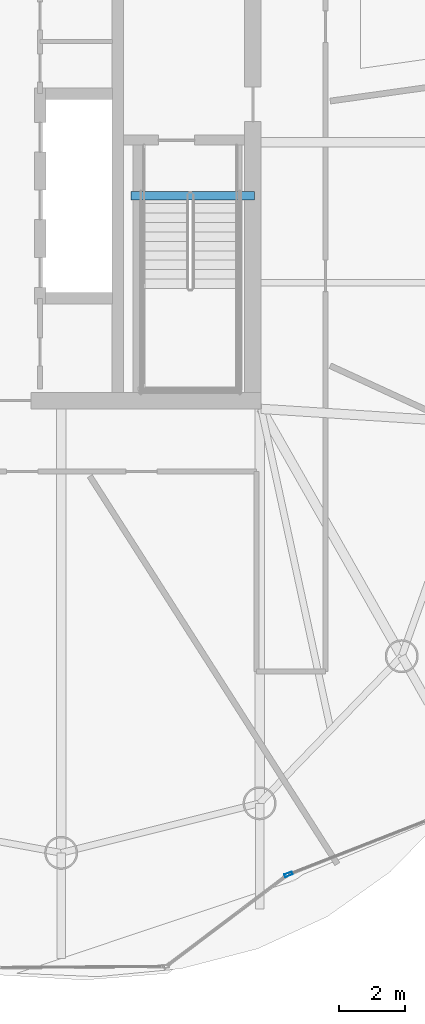
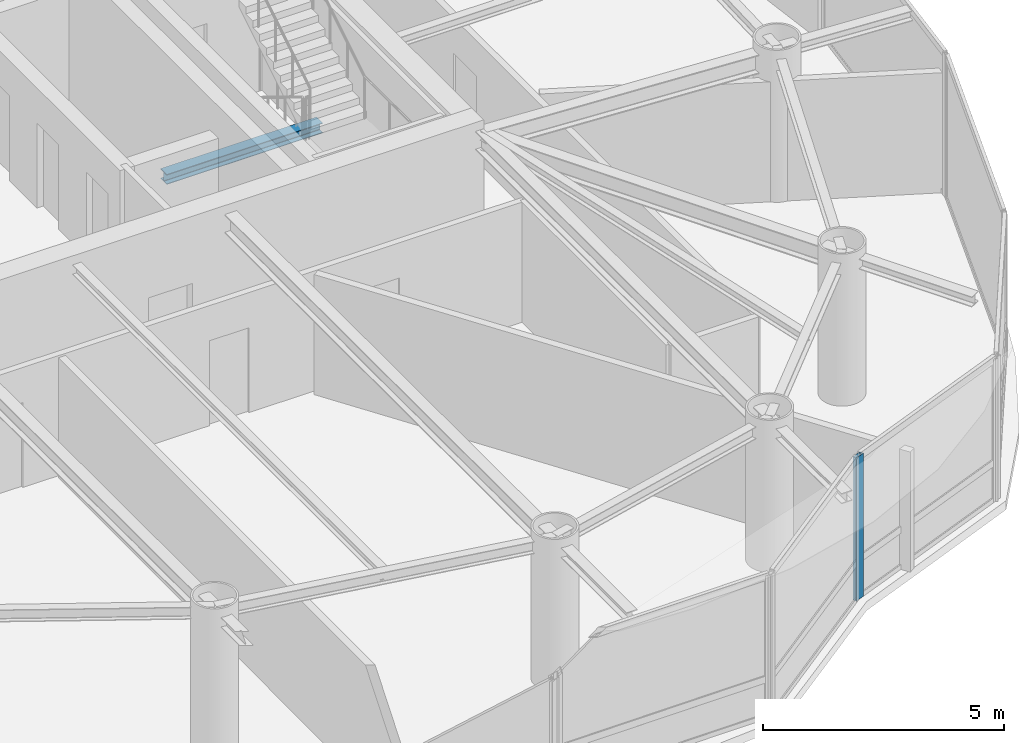
# One storey, part 7 of 20: 1 beam, 1 member, 1 element without a shape of its own.
"""IFC4 building model written with IfcOpenShell, lengths in metres."""

from ifc_helpers import new_model, si_unit, direction, frame, origin, origin_2d, place, context, subcontext, project, spatial, hollow_rectangle, i_section, extrude, material, layer, layer_set, material_profile, profile_set, type_object, element, aggregate, save


model = new_model("IFC4")

# Units and contexts
model_context = context("Model", 3, precision=1e-05, world=origin(), true_north=direction((0.0, 1.0)))
body_context = subcontext(model_context, "Body", "Model", "MODEL_VIEW")
ifc_project = project(units=[si_unit("LENGTHUNIT", "METRE"), si_unit("AREAUNIT", "SQUARE_METRE"), si_unit("VOLUMEUNIT", "CUBIC_METRE"), si_unit("PLANEANGLEUNIT", "RADIAN"), si_unit("MASSUNIT", "GRAM", prefix="KILO")], contexts=[model_context])

# Site, building, storey
site_placement = place(None, origin())
site = spatial("IfcSite", under=ifc_project, at=site_placement, CompositionType="ELEMENT")
building_placement = place(site_placement, origin())
building = spatial("IfcBuilding", under=site, at=building_placement, Name="Bramvorn Convention Spire", CompositionType="ELEMENT")
storey_placement = place(building_placement, frame((0.0, 0.0, 276.699951171875)))
storey = spatial("IfcBuildingStorey", under=building, at=storey_placement, Name="L70", CompositionType="ELEMENT", Elevation=276.699951171875)

# Beam
ifc_material_1 = material(Name="Steel CSA G40.21 Grade 350 (350W)", Category="steel")
ifc_material_profile_1 = material_profile(ifc_material_1, i_section(OverallWidth=0.25390625, OverallDepth=0.2529296875, WebThickness=0.008544921875, FlangeThickness=0.01416015625, FilletRadius=0.011962890625, at=origin_2d()))
ifc_profile_set_1 = profile_set([ifc_material_profile_1], Name="Steel CSA G40.21 Grade 350 (350W) - W250X73")
beam_type = type_object("IfcBeamType", Name="BM-W250X73", PredefinedType="BEAM", material=ifc_profile_set_1)
beam_placement = place(storey_placement, frame((45.31005859375, 25.010009765625, -0.12646484375), z_axis=(1.0, 0.0, 0.0), x_axis=(0.0, 1.0, 0.0)))
element("IfcBeam", 1, at=beam_placement, inside=storey, type_object=beam_type, Name="L70 ST2 stair arrival header beam", PredefinedType="BEAM", context=body_context, shape_type="SweptSolid", body=[
    extrude(i_section(OverallWidth=0.25390625, OverallDepth=0.2529296875, WebThickness=0.008544921875, FlangeThickness=0.01416015625, FilletRadius=0.011962890625, at=origin_2d()), origin(), (0.0, 0.0, 1.0), 3.739990234375),
])

# Curtain wall, member
ifc_material_2 = material(Name="Anodised Bronze Unitised Curtain Wall", Category="aluminium")
ifc_layer = layer(ifc_material_2, 0.219970703125)
ifc_layer_set = layer_set([ifc_layer], Name="Anodised Bronze Unitised Curtain Wall - CW-SKYGARDEN")
curtain_wall_type = type_object("IfcCurtainWallType", Name="CW-SKYGARDEN", PredefinedType="USERDEFINED", material=ifc_layer_set)
curtain_wall_placement = place(storey_placement, origin())
curtain_wall = element("IfcCurtainWall", 2, at=curtain_wall_placement, inside=storey, type_object=curtain_wall_type, Name="L70 Sky Garden glazed facade 01", ObjectType="WINTER GARDEN GLAZING", PredefinedType="USERDEFINED")
ifc_material_3 = material(Name="Anodised Bronze Aluminium 6063-T6", Category="aluminium")
ifc_material_profile_2 = material_profile(ifc_material_3, hollow_rectangle(XDim=0.090087890625, YDim=0.239990234375, WallThickness=0.00439453125, InnerFilletRadius=0.0009765625, OuterFilletRadius=0.00439453125, at=origin_2d()))
ifc_profile_set_2 = profile_set([ifc_material_profile_2], Name="Anodised Bronze Aluminium 6063-T6 - CWM90X240")
member_type = type_object("IfcMemberType", Name="CW-MUL-220", PredefinedType="MULLION", material=ifc_profile_set_2)
member_placement = place(storey_placement, frame((50.079345703125, 4.447509765625, 0.0), z_axis=(0.0, 0.0, 1.0), x_axis=(0.364873191283, -0.931057223957, 0.0)))
member = element("IfcMember", 3, at=member_placement, type_object=member_type, Name="CW4 mullion 2", PredefinedType="MULLION", context=body_context, shape_type="SweptSolid", body=[
    extrude(hollow_rectangle(XDim=0.090087890625, YDim=0.239990234375, WallThickness=0.00439453125, InnerFilletRadius=0.0009765625, OuterFilletRadius=0.00439453125, at=origin_2d()), origin(), (0.0, 0.0, 1.0), 3.625),
])
aggregate(curtain_wall, [member])

save(model, "model.ifc")
